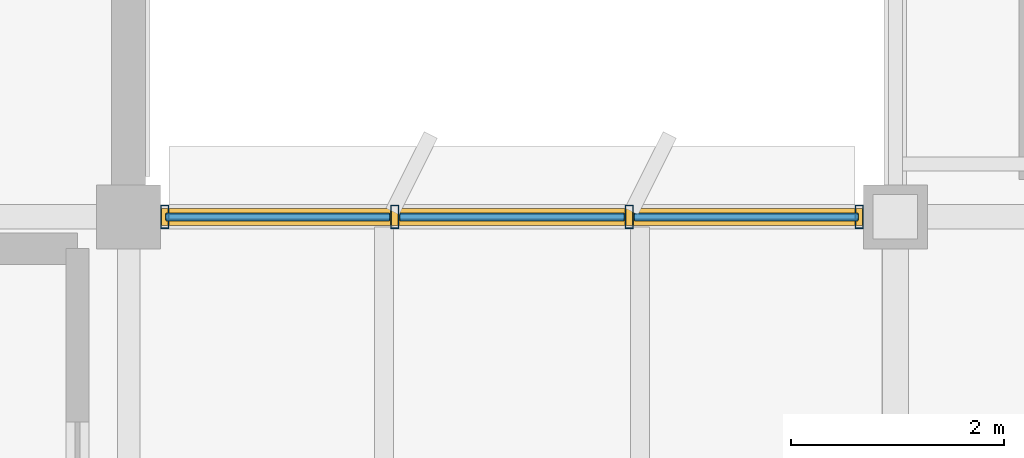
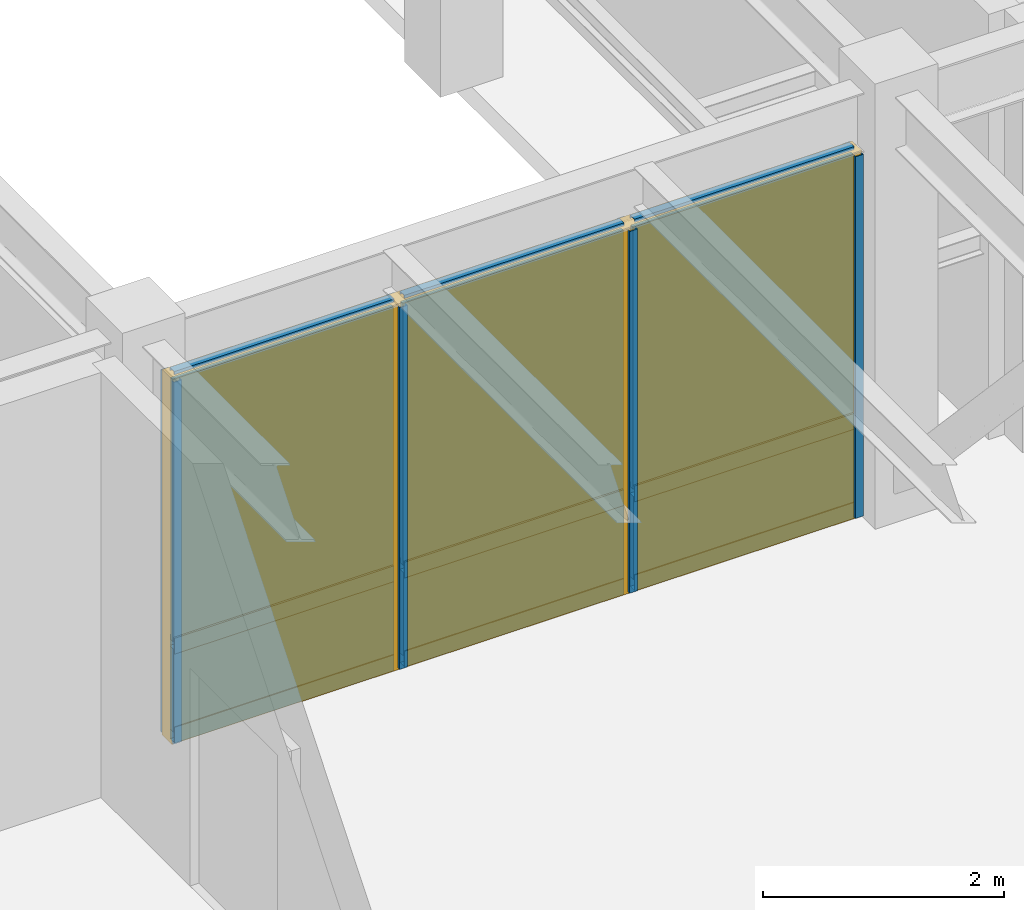
# One storey, part 53 of 92: 13 members, 6 plates, 1 curtain wall.
"""IFC4 building model written with IfcOpenShell, lengths in metres."""

from ifc_helpers import new_model, si_unit, direction, frame, origin, origin_2d, place, context, subcontext, project, spatial, rectangle, hollow_rectangle, extrude, material, layer, layer_set, material_profile, profile_set, type_object, element, aggregate, save


model = new_model("IFC4")

# Units and contexts
model_context = context("Model", 3, precision=1e-05, world=origin(), true_north=direction((0.0, 1.0)))
body_context = subcontext(model_context, "Body", "Model", "MODEL_VIEW")
ifc_project = project(units=[si_unit("LENGTHUNIT", "METRE"), si_unit("AREAUNIT", "SQUARE_METRE"), si_unit("VOLUMEUNIT", "CUBIC_METRE"), si_unit("PLANEANGLEUNIT", "RADIAN"), si_unit("MASSUNIT", "GRAM", prefix="KILO")], contexts=[model_context])

# Member
ifc_material_1 = material(Name="Anodized Aluminium 6063-T6", Category="aluminium")
ifc_material_profile_1 = material_profile(ifc_material_1, hollow_rectangle(XDim=0.074951171875, YDim=0.219970703125, WallThickness=0.0048828125, at=origin_2d()), Name="ALU 75x220x5")
ifc_profile_set_1 = profile_set([ifc_material_profile_1], Name="Anodized Aluminium 6063-T6")
member_type_1 = type_object("IfcMemberType", Name="CWM-75X180", PredefinedType="MULLION", material=ifc_profile_set_1)
site_placement = place(None, origin())
building_placement = place(site_placement, origin())
storey_placement = place(building_placement, frame((0.0, 0.0, 5.39990234375)))
member_1_placement = place(storey_placement, frame((115.5400390625, 50.39990234375, 0.02001953125), z_axis=(0.0, 0.0, 1.0), x_axis=(1.0, 0.0, 0.0)))
member_1 = element("IfcMember", 1, at=member_1_placement, type_object=member_type_1, Name="Curtain wall mullion CW-L02-16-06-N-00", PredefinedType="MULLION", context=body_context, shape_type="SweptSolid", body=[
    extrude(hollow_rectangle(XDim=0.074951171875, YDim=0.219970703125, WallThickness=0.0048828125, at=origin_2d()), origin(), (0.0, 0.0, 1.0), 3.657958984375),
])

member_2_placement = place(storey_placement, frame((117.699951171875, 50.39990234375, 0.02001953125), z_axis=(0.0, 0.0, 1.0), x_axis=(1.0, 0.0, 0.0)))
member_2 = element("IfcMember", 2, at=member_2_placement, type_object=member_type_1, Name="Curtain wall mullion CW-L02-16-06-N-01", PredefinedType="MULLION", context=body_context, shape_type="SweptSolid", body=[
    extrude(hollow_rectangle(XDim=0.074951171875, YDim=0.219970703125, WallThickness=0.0048828125, at=origin_2d()), origin(), (0.0, 0.0, 1.0), 3.657958984375),
])

member_3_placement = place(storey_placement, frame((119.89990234375, 50.39990234375, 0.02001953125), z_axis=(0.0, 0.0, 1.0), x_axis=(1.0, 0.0, 0.0)))
member_3 = element("IfcMember", 3, at=member_3_placement, type_object=member_type_1, Name="Curtain wall mullion CW-L02-16-06-N-02", PredefinedType="MULLION", context=body_context, shape_type="SweptSolid", body=[
    extrude(hollow_rectangle(XDim=0.074951171875, YDim=0.219970703125, WallThickness=0.0048828125, at=origin_2d()), origin(), (0.0, 0.0, 1.0), 3.657958984375),
])

member_4_placement = place(storey_placement, frame((122.06005859375, 50.39990234375, 0.02001953125), z_axis=(0.0, 0.0, 1.0), x_axis=(1.0, 0.0, 0.0)))
member_4 = element("IfcMember", 4, at=member_4_placement, type_object=member_type_1, Name="Curtain wall mullion CW-L02-16-06-N-03", PredefinedType="MULLION", context=body_context, shape_type="SweptSolid", body=[
    extrude(hollow_rectangle(XDim=0.074951171875, YDim=0.219970703125, WallThickness=0.0048828125, at=origin_2d()), origin(), (0.0, 0.0, 1.0), 3.657958984375),
])

ifc_material_profile_2 = material_profile(ifc_material_1, hollow_rectangle(XDim=0.074951171875, YDim=0.159912109375, WallThickness=0.00390625, at=origin_2d()), Name="ALU 75x160x4")
ifc_profile_set_2 = profile_set([ifc_material_profile_2], Name="Anodized Aluminium 6063-T6")
member_type_2 = type_object("IfcMemberType", Name="CWT-75X150", PredefinedType="USERDEFINED", material=ifc_profile_set_2)
member_5_placement = place(storey_placement, frame((115.550048828125, 50.39990234375, 0.050048828125), z_axis=(1.0, 0.0, 0.0), x_axis=(0.0, 1.0, 0.0)))
member_5 = element("IfcMember", 5, at=member_5_placement, type_object=member_type_2, Name="Curtain wall transom CW-L02-16-06-N-1.01", ObjectType="TRANSOM", PredefinedType="USERDEFINED", context=body_context, shape_type="SweptSolid", body=[
    extrude(hollow_rectangle(XDim=0.074951171875, YDim=0.159912109375, WallThickness=0.00390625, at=origin_2d()), origin(), (0.0, 0.0, 1.0), 2.099853515625),
])

member_6_placement = place(storey_placement, frame((117.75, 50.39990234375, 0.050048828125), z_axis=(1.0, 0.0, 0.0), x_axis=(0.0, 1.0, 0.0)))
member_6 = element("IfcMember", 6, at=member_6_placement, type_object=member_type_2, Name="Curtain wall transom CW-L02-16-06-N-1.02", ObjectType="TRANSOM", PredefinedType="USERDEFINED", context=body_context, shape_type="SweptSolid", body=[
    extrude(hollow_rectangle(XDim=0.074951171875, YDim=0.159912109375, WallThickness=0.00390625, at=origin_2d()), origin(), (0.0, 0.0, 1.0), 2.10009765625),
])

member_7_placement = place(storey_placement, frame((119.949951171875, 50.39990234375, 0.050048828125), z_axis=(1.0, 0.0, 0.0), x_axis=(0.0, 1.0, 0.0)))
member_7 = element("IfcMember", 7, at=member_7_placement, type_object=member_type_2, Name="Curtain wall transom CW-L02-16-06-N-1.03", ObjectType="TRANSOM", PredefinedType="USERDEFINED", context=body_context, shape_type="SweptSolid", body=[
    extrude(hollow_rectangle(XDim=0.074951171875, YDim=0.159912109375, WallThickness=0.00390625, at=origin_2d()), origin(), (0.0, 0.0, 1.0), 2.10009765625),
])

member_8_placement = place(storey_placement, frame((115.550048828125, 50.39990234375, 0.9501953125), z_axis=(1.0, 0.0, 0.0), x_axis=(0.0, 1.0, 0.0)))
member_8 = element("IfcMember", 8, at=member_8_placement, type_object=member_type_2, Name="Curtain wall transom CW-L02-16-06-N-2.01", ObjectType="TRANSOM", PredefinedType="USERDEFINED", context=body_context, shape_type="SweptSolid", body=[
    extrude(hollow_rectangle(XDim=0.074951171875, YDim=0.159912109375, WallThickness=0.00390625, at=origin_2d()), origin(), (0.0, 0.0, 1.0), 2.099853515625),
])

member_9_placement = place(storey_placement, frame((117.75, 50.39990234375, 0.9501953125), z_axis=(1.0, 0.0, 0.0), x_axis=(0.0, 1.0, 0.0)))
member_9 = element("IfcMember", 9, at=member_9_placement, type_object=member_type_2, Name="Curtain wall transom CW-L02-16-06-N-2.02", ObjectType="TRANSOM", PredefinedType="USERDEFINED", context=body_context, shape_type="SweptSolid", body=[
    extrude(hollow_rectangle(XDim=0.074951171875, YDim=0.159912109375, WallThickness=0.00390625, at=origin_2d()), origin(), (0.0, 0.0, 1.0), 2.10009765625),
])

member_10_placement = place(storey_placement, frame((119.949951171875, 50.39990234375, 0.9501953125), z_axis=(1.0, 0.0, 0.0), x_axis=(0.0, 1.0, 0.0)))
member_10 = element("IfcMember", 10, at=member_10_placement, type_object=member_type_2, Name="Curtain wall transom CW-L02-16-06-N-2.03", ObjectType="TRANSOM", PredefinedType="USERDEFINED", context=body_context, shape_type="SweptSolid", body=[
    extrude(hollow_rectangle(XDim=0.074951171875, YDim=0.159912109375, WallThickness=0.00390625, at=origin_2d()), origin(), (0.0, 0.0, 1.0), 2.10009765625),
])

member_11_placement = place(storey_placement, frame((115.550048828125, 50.39990234375, 3.648193359375), z_axis=(1.0, 0.0, 0.0), x_axis=(0.0, 1.0, 0.0)))
member_11 = element("IfcMember", 11, at=member_11_placement, type_object=member_type_2, Name="Curtain wall transom CW-L02-16-06-N-3.01", ObjectType="TRANSOM", PredefinedType="USERDEFINED", context=body_context, shape_type="SweptSolid", body=[
    extrude(hollow_rectangle(XDim=0.074951171875, YDim=0.159912109375, WallThickness=0.00390625, at=origin_2d()), origin(), (0.0, 0.0, 1.0), 2.099853515625),
])

member_12_placement = place(storey_placement, frame((117.75, 50.39990234375, 3.648193359375), z_axis=(1.0, 0.0, 0.0), x_axis=(0.0, 1.0, 0.0)))
member_12 = element("IfcMember", 12, at=member_12_placement, type_object=member_type_2, Name="Curtain wall transom CW-L02-16-06-N-3.02", ObjectType="TRANSOM", PredefinedType="USERDEFINED", context=body_context, shape_type="SweptSolid", body=[
    extrude(hollow_rectangle(XDim=0.074951171875, YDim=0.159912109375, WallThickness=0.00390625, at=origin_2d()), origin(), (0.0, 0.0, 1.0), 2.10009765625),
])

member_13_placement = place(storey_placement, frame((119.949951171875, 50.39990234375, 3.648193359375), z_axis=(1.0, 0.0, 0.0), x_axis=(0.0, 1.0, 0.0)))
member_13 = element("IfcMember", 13, at=member_13_placement, type_object=member_type_2, Name="Curtain wall transom CW-L02-16-06-N-3.03", ObjectType="TRANSOM", PredefinedType="USERDEFINED", context=body_context, shape_type="SweptSolid", body=[
    extrude(hollow_rectangle(XDim=0.074951171875, YDim=0.159912109375, WallThickness=0.00390625, at=origin_2d()), origin(), (0.0, 0.0, 1.0), 2.10009765625),
])

# Plate
ifc_material_2 = material(Name="Acoustic Laminated Low-E Glazing", Category="glass")
ifc_layer_1 = layer(ifc_material_2, 0.0439453125)
ifc_layer_set_1 = layer_set([ifc_layer_1], Name="Acoustic Laminated Low-E Glazing")
plate_type_1 = type_object("IfcPlateType", Name="CWP-IGU-44", PredefinedType="CURTAIN_PANEL", material=ifc_layer_set_1)
plate_1_placement = place(storey_placement, frame((116.60009765625, 50.39990234375, 0.990234375), z_axis=(0.0, 0.0, 1.0), x_axis=(1.0, 0.0, 0.0)))
plate_1 = element("IfcPlate", 14, at=plate_1_placement, type_object=plate_type_1, Name="Curtain wall vision glazing CW-L02-16-06-N-01", PredefinedType="CURTAIN_PANEL", context=body_context, shape_type="SweptSolid", body=[
    extrude(rectangle(XDim=2.110107421875, YDim=0.0400390625, at=origin_2d()), origin(), (0.0, 0.0, 1.0), 2.64794921875),
])

plate_2_placement = place(storey_placement, frame((118.800048828125, 50.39990234375, 0.990234375), z_axis=(0.0, 0.0, 1.0), x_axis=(1.0, 0.0, 0.0)))
plate_2 = element("IfcPlate", 15, at=plate_2_placement, type_object=plate_type_1, Name="Curtain wall vision glazing CW-L02-16-06-N-02", PredefinedType="CURTAIN_PANEL", context=body_context, shape_type="SweptSolid", body=[
    extrude(rectangle(XDim=2.110107421875, YDim=0.0400390625, at=origin_2d()), origin(), (0.0, 0.0, 1.0), 2.64794921875),
])

plate_3_placement = place(storey_placement, frame((121.0, 50.39990234375, 0.990234375), z_axis=(0.0, 0.0, 1.0), x_axis=(1.0, 0.0, 0.0)))
plate_3 = element("IfcPlate", 16, at=plate_3_placement, type_object=plate_type_1, Name="Curtain wall vision glazing CW-L02-16-06-N-03", PredefinedType="CURTAIN_PANEL", context=body_context, shape_type="SweptSolid", body=[
    extrude(rectangle(XDim=2.110107421875, YDim=0.0400390625, at=origin_2d()), origin(), (0.0, 0.0, 1.0), 2.64794921875),
])

ifc_material_3 = material(Name="Insulated Stone-Composite Spandrel", Category="masonry")
ifc_layer_2 = layer(ifc_material_3, 0.068115234375)
ifc_layer_set_2 = layer_set([ifc_layer_2], Name="Insulated Stone-Composite Spandrel")
plate_type_2 = type_object("IfcPlateType", Name="CWP-SPN-68", PredefinedType="CURTAIN_PANEL", material=ifc_layer_set_2)
plate_4_placement = place(storey_placement, frame((116.60009765625, 50.39990234375, 0.080078125), z_axis=(0.0, 0.0, 1.0), x_axis=(1.0, 0.0, 0.0)))
plate_4 = element("IfcPlate", 17, at=plate_4_placement, type_object=plate_type_2, Name="Curtain wall spandrel panel CW-L02-16-06-N-01", PredefinedType="CURTAIN_PANEL", context=body_context, shape_type="SweptSolid", body=[
    extrude(rectangle(XDim=2.110107421875, YDim=0.06005859375, at=origin_2d()), origin(), (0.0, 0.0, 1.0), 0.840087890625),
])

plate_5_placement = place(storey_placement, frame((118.800048828125, 50.39990234375, 0.080078125), z_axis=(0.0, 0.0, 1.0), x_axis=(1.0, 0.0, 0.0)))
plate_5 = element("IfcPlate", 18, at=plate_5_placement, type_object=plate_type_2, Name="Curtain wall spandrel panel CW-L02-16-06-N-02", PredefinedType="CURTAIN_PANEL", context=body_context, shape_type="SweptSolid", body=[
    extrude(rectangle(XDim=2.110107421875, YDim=0.06005859375, at=origin_2d()), origin(), (0.0, 0.0, 1.0), 0.840087890625),
])

plate_6_placement = place(storey_placement, frame((121.0, 50.39990234375, 0.080078125), z_axis=(0.0, 0.0, 1.0), x_axis=(1.0, 0.0, 0.0)))
plate_6 = element("IfcPlate", 19, at=plate_6_placement, type_object=plate_type_2, Name="Curtain wall spandrel panel CW-L02-16-06-N-03", PredefinedType="CURTAIN_PANEL", context=body_context, shape_type="SweptSolid", body=[
    extrude(rectangle(XDim=2.110107421875, YDim=0.06005859375, at=origin_2d()), origin(), (0.0, 0.0, 1.0), 0.840087890625),
])

# Site, building, storey
site = spatial("IfcSite", under=ifc_project, at=site_placement, CompositionType="ELEMENT")
building = spatial("IfcBuilding", under=site, at=building_placement, Name="Sillqori Civic Hall", CompositionType="ELEMENT")
storey = spatial("IfcBuildingStorey", under=building, at=storey_placement, Name="L02", CompositionType="ELEMENT", Elevation=5.39990234375)

# Curtain wall
ifc_material_4 = material(Name="Anodized Aluminium Curtain Wall System", Category="aluminium")
curtain_wall_type = type_object("IfcCurtainWallType", Name="CW-GL-430", PredefinedType="NOTDEFINED", material=ifc_material_4)
curtain_wall_placement = place(storey_placement, frame((118.800048828125, 50.39990234375, 0.0), z_axis=(0.0, 0.0, 1.0), x_axis=(1.0, 0.0, 0.0)))
curtain_wall = element("IfcCurtainWall", 20, at=curtain_wall_placement, inside=storey, type_object=curtain_wall_type, Name="L02 unitised curtain wall CW-L02-16-06-N", PredefinedType="NOTDEFINED", context=body_context, shape_type="SweptSolid", body=[
    extrude(rectangle(XDim=6.60009765625, YDim=0.159912109375, at=origin_2d()), origin(), (0.0, 0.0, 1.0), 3.697998046875),
])

aggregate(curtain_wall, [member_1, member_2, member_3, member_4, member_5, member_6, member_7, member_8, member_9, member_10, member_11, member_12, member_13, plate_4, plate_1, plate_5, plate_2, plate_6, plate_3])

save(model, "model.ifc")
